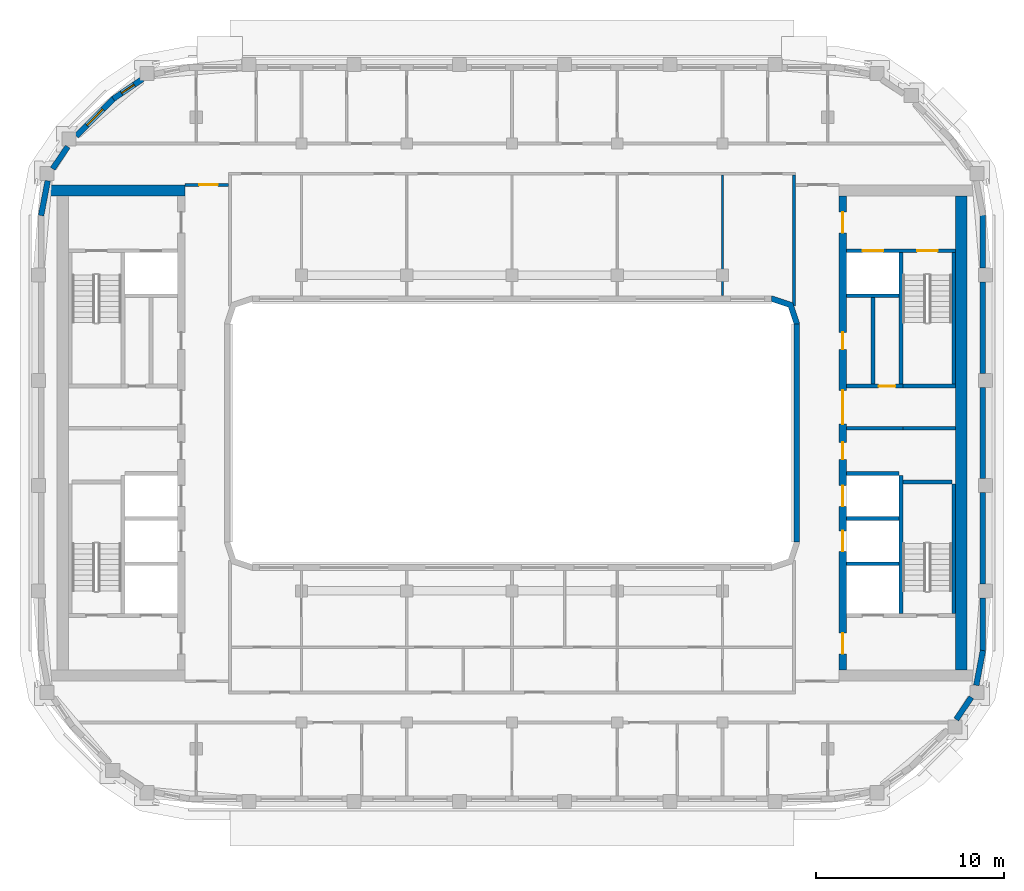
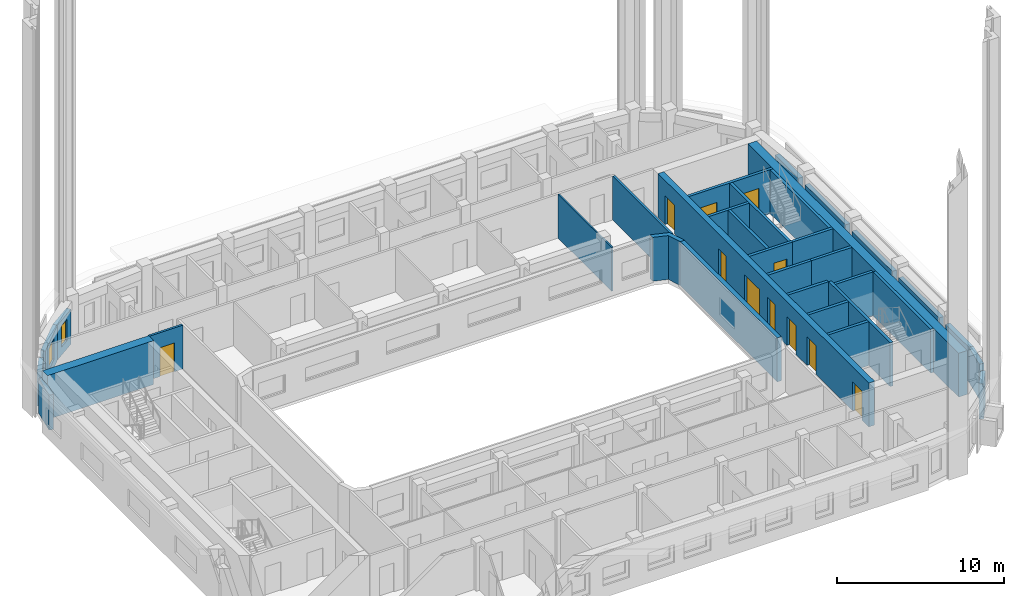
# One storey, part 6 of 15: 34 walls, 11 doors, 2 windows, 13 openings.
"""IFC4 building model written with IfcOpenShell, lengths in metres."""

from ifc_helpers import new_model, si_unit, direction, frame, frame_2d, origin, place, context, subcontext, project, spatial, polyline, rectangle, outline, extrude, material, layer, layer_set, type_object, element, fill, save


model = new_model("IFC4")

# Units and contexts
model_context = context("Model", 3, precision=1e-05, world=origin(), true_north=direction((0.0, 1.0)))
body_context = subcontext(model_context, "Body", "Model", "MODEL_VIEW")
ifc_project = project(units=[si_unit("LENGTHUNIT", "METRE"), si_unit("AREAUNIT", "SQUARE_METRE"), si_unit("VOLUMEUNIT", "CUBIC_METRE"), si_unit("PLANEANGLEUNIT", "RADIAN"), si_unit("MASSUNIT", "GRAM", prefix="KILO")], contexts=[model_context])

# Site, building, storey
site_placement = place(None, origin())
site = spatial("IfcSite", under=ifc_project, at=site_placement, CompositionType="ELEMENT")
building_placement = place(site_placement, origin())
building = spatial("IfcBuilding", under=site, at=building_placement, Name="Kiln Ring Residences", CompositionType="ELEMENT")
storey_placement = place(building_placement, frame((0.0, 0.0, 266.199951171875)))
storey = spatial("IfcBuildingStorey", under=building, at=storey_placement, Name="L69", CompositionType="ELEMENT", Elevation=266.199951171875)

# Walls
ifc_material_1 = material(Name="Gypsum board on steel studs", Category="steel")
ifc_layer_1 = layer(ifc_material_1, 0.199951171875)
ifc_layer_set_1 = layer_set([ifc_layer_1], Name="CORE-PARTITION-200")
wall_type_1 = type_object("IfcWallType", Name="CORE-PARTITION-200", PredefinedType="PARTITIONING", material=ifc_layer_set_1)
wall_1_placement = place(storey_placement, frame((20.800048828125, 0.25, 0.0), z_axis=(0.0, 0.0, 1.0), x_axis=(1.0, 0.0, 0.0)))
element("IfcWall", 1, at=wall_1_placement, inside=storey, type_object=wall_type_1, Name="Core partition east L69 1", PredefinedType="PARTITIONING", context=body_context, shape_type="SweptSolid", body=[
    extrude(rectangle(XDim=2.800048828125, YDim=0.199951171875, at=frame_2d((1.39990234375, 0.0))), origin(), (0.0, 0.0, 1.0), 3.199951171875),
])
wall_2_placement = place(storey_placement, frame((19.199951171875, 2.60009765625, 0.0), z_axis=(0.0, 0.0, 1.0), x_axis=(0.0, 1.0, 0.0)))
element("IfcWall", 2, at=wall_2_placement, inside=storey, type_object=wall_type_1, Name="Core partition east L69 2", PredefinedType="PARTITIONING", context=body_context, shape_type="SweptSolid", body=[
    extrude(rectangle(XDim=4.599853515625, YDim=0.199951171875, at=frame_2d((2.2998046875, 0.0))), origin(), (0.0, 0.0, 1.0), 3.199951171875),
])
ifc_material_2 = material(Name="Gypsum shaft wall system")
ifc_layer_2 = layer(ifc_material_2, 0.199951171875)
ifc_layer_set_2 = layer_set([ifc_layer_2], Name="CORE-SHAFT-WALL-200")
wall_type_2 = type_object("IfcWallType", Name="CORE-SHAFT-WALL-200", PredefinedType="PARTITIONING", material=ifc_layer_set_2)
for number, where, z_axis, x_axis, name in (
    (3, (17.800048828125, -6.949951171875, 0.0), (0.0, 0.0, 1.0), (1.0, 0.0, 0.0), "Core partition east L69 3"),
    (4, (17.800048828125, -4.550048828125, 0.0), (0.0, 0.0, 1.0), (1.0, 0.0, 0.0), "Core partition east L69 4"),
    (5, (17.800048828125, -2.14990234375, 0.0), (0.0, 0.0, 1.0), (1.0, 0.0, 0.0), "Core partition east L69 5"),
):
    element("IfcWall", number, at=place(storey_placement, frame(where, z_axis=z_axis, x_axis=x_axis)), inside=storey, type_object=wall_type_2, Name=name, PredefinedType="PARTITIONING", context=body_context, shape_type="SweptSolid", body=[
        extrude(rectangle(XDim=2.800048828125, YDim=0.199951171875, at=frame_2d((1.39990234375, 0.0))), origin(), (0.0, 0.0, 1.0), 3.199951171875),
    ])
wall_3_placement = place(storey_placement, frame((17.800048828125, 0.25, 0.0), z_axis=(0.0, 0.0, 1.0), x_axis=(1.0, 0.0, 0.0)))
element("IfcWall", 6, at=wall_3_placement, inside=storey, type_object=wall_type_2, Name="Core partition east L69 6", PredefinedType="PARTITIONING", context=body_context, shape_type="SweptSolid", body=[
    extrude(rectangle(XDim=3.0, YDim=0.199951171875, at=frame_2d((1.5, 0.0))), origin(), (0.0, 0.0, 1.0), 3.199951171875),
])

# Wall, opening, door
wall_4_placement = place(storey_placement, frame((17.800048828125, 2.5, 0.0), z_axis=(0.0, 0.0, 1.0), x_axis=(1.0, 0.0, 0.0)))
wall_4 = element("IfcWall", 7, at=wall_4_placement, inside=storey, type_object=wall_type_2, Name="Core partition east L69 7", PredefinedType="PARTITIONING", context=body_context, shape_type="SweptSolid", body=[
    extrude(rectangle(XDim=3.0, YDim=0.199951171875, at=frame_2d((1.5, 0.0))), origin(), (0.0, 0.0, 1.0), 3.199951171875),
])
opening_1_placement = place(wall_4_placement, frame((1.699951171875, 0.0, 0.0)))
opening_1 = element("IfcOpeningElement", 8, at=opening_1_placement, cuts=wall_4, Name="Opening L69-CE06", PredefinedType="OPENING", context=body_context, shape_type="SweptSolid", body=[
    extrude(rectangle(XDim=0.89990234375, YDim=2.10009765625, at=frame_2d((0.449951171875, 1.050048828125))), frame((0.0, 0.10986328125, 0.0), z_axis=(0.0, -1.0, 0.0), x_axis=(1.0, 0.0, 0.0)), (0.0, 0.0, 1.0), 0.219970703125),
])
ifc_material_3 = material(Name="Steel door leaf", Category="steel")
door_type_1 = type_object("IfcDoorType", Name="CORE-DOOR-ROOM", OperationType="SINGLE_SWING_LEFT", PredefinedType="DOOR", material=ifc_material_3)
door_1_placement = place(opening_1_placement, origin())
door_1 = element("IfcDoor", 9, at=door_1_placement, inside=storey, type_object=door_type_1, Name="Service store L69-CE06", OperationType="SINGLE_SWING_RIGHT", OverallHeight=2.10009765625, OverallWidth=0.89990234375, PredefinedType="DOOR", context=body_context, shape_type="SweptSolid", body=[
    extrude(rectangle(XDim=0.89990234375, YDim=2.10009765625, at=frame_2d((0.449951171875, 1.050048828125))), frame((0.0, 0.02490234375, 0.0), z_axis=(0.0, -1.0, 0.0), x_axis=(1.0, 0.0, 0.0)), (0.0, 0.0, 1.0), 0.050048828125),
])
fill(opening_1, door_1)

# Walls
wall_5_placement = place(storey_placement, frame((17.800048828125, 7.300048828125, 0.0), z_axis=(0.0, 0.0, 1.0), x_axis=(1.0, 0.0, 0.0)))
element("IfcWall", 10, at=wall_5_placement, inside=storey, type_object=wall_type_2, Name="Core partition east L69 8", PredefinedType="PARTITIONING", context=body_context, shape_type="SweptSolid", body=[
    extrude(rectangle(XDim=2.800048828125, YDim=0.199951171875, at=frame_2d((1.39990234375, 0.0))), origin(), (0.0, 0.0, 1.0), 3.199951171875),
])
ifc_material_4 = material(Name="Concrete C40/50", Category="concrete")
ifc_layer_3 = layer(ifc_material_4, 0.199951171875)
ifc_layer_set_3 = layer_set([ifc_layer_3], Name="CORE-WALL-RC200")
wall_type_3 = type_object("IfcWallType", Name="CORE-WALL-RC200", PredefinedType="SHEAR", material=ifc_layer_set_3)
wall_6_placement = place(storey_placement, frame((20.699951171875, 2.60009765625, 0.0), z_axis=(0.0, 0.0, 1.0), x_axis=(0.0, 1.0, 0.0)))
element("IfcWall", 11, at=wall_6_placement, inside=storey, type_object=wall_type_3, Name="Core wall east L69 1", PredefinedType="SHEAR", context=body_context, shape_type="SweptSolid", body=[
    extrude(rectangle(XDim=7.0, YDim=0.199951171875, at=frame_2d((3.5, 0.0))), origin(), (0.0, 0.0, 1.0), 3.199951171875),
])
wall_7_placement = place(storey_placement, frame((20.699951171875, -9.60009765625, 0.0), z_axis=(0.0, 0.0, 1.0), x_axis=(0.0, 1.0, 0.0)))
element("IfcWall", 12, at=wall_7_placement, inside=storey, type_object=wall_type_3, Name="Core wall east L69 2", PredefinedType="SHEAR", context=body_context, shape_type="SweptSolid", body=[
    extrude(rectangle(XDim=7.35009765625, YDim=0.199951171875, at=frame_2d((3.675048828125, 0.0))), origin(), (0.0, 0.0, 1.0), 3.199951171875),
])
wall_8_placement = place(storey_placement, frame((20.800048828125, 2.5, 0.0), z_axis=(0.0, 0.0, 1.0), x_axis=(1.0, 0.0, 0.0)))
element("IfcWall", 13, at=wall_8_placement, inside=storey, type_object=wall_type_3, Name="Core wall east L69 3", PredefinedType="SHEAR", context=body_context, shape_type="SweptSolid", body=[
    extrude(rectangle(XDim=2.800048828125, YDim=0.199951171875, at=frame_2d((1.39990234375, 0.0))), origin(), (0.0, 0.0, 1.0), 3.199951171875),
])

# Wall, openings, doors
wall_9_placement = place(storey_placement, frame((17.800048828125, 9.699951171875, 0.0), z_axis=(0.0, 0.0, 1.0), x_axis=(1.0, 0.0, 0.0)))
wall_9 = element("IfcWall", 14, at=wall_9_placement, inside=storey, type_object=wall_type_3, Name="Core wall east L69 9", PredefinedType="SHEAR", context=body_context, shape_type="SweptSolid", body=[
    extrude(rectangle(XDim=5.800048828125, YDim=0.199951171875, at=frame_2d((2.89990234375, 0.0))), origin(), (0.0, 0.0, 1.0), 3.199951171875),
])
opening_2_placement = place(wall_9_placement, frame((0.85009765625, 0.0, 0.0)))
opening_2 = element("IfcOpeningElement", 15, at=opening_2_placement, cuts=wall_9, Name="Opening L69-CE07", PredefinedType="OPENING", context=body_context, shape_type="SweptSolid", body=[
    extrude(rectangle(XDim=1.10009765625, YDim=2.10009765625, at=frame_2d((0.550048828125, 1.050048828125))), frame((0.0, 0.10986328125, 0.0), z_axis=(0.0, -1.0, 0.0), x_axis=(1.0, 0.0, 0.0)), (0.0, 0.0, 1.0), 0.219970703125),
])
opening_3_placement = place(wall_9_placement, frame((3.75, 0.0, 0.0)))
opening_3 = element("IfcOpeningElement", 16, at=opening_3_placement, cuts=wall_9, Name="Opening L69-CE10", PredefinedType="OPENING", context=body_context, shape_type="SweptSolid", body=[
    extrude(rectangle(XDim=1.10009765625, YDim=2.10009765625, at=frame_2d((0.550048828125, 1.050048828125))), frame((0.0, 0.10986328125, 0.0), z_axis=(0.0, -1.0, 0.0), x_axis=(1.0, 0.0, 0.0)), (0.0, 0.0, 1.0), 0.219970703125),
])
ifc_material_5 = material(Name="Steel door leaf", Category="steel")
door_type_2 = type_object("IfcDoorType", Name="CORE-DOOR-LD", OperationType="DOUBLE_DOOR_SLIDING", PredefinedType="DOOR", material=ifc_material_5)
door_2_placement = place(opening_2_placement, origin())
door_2 = element("IfcDoor", 17, at=door_2_placement, inside=storey, type_object=door_type_2, Name="LD E-FF L69-CE07", OperationType="DOUBLE_DOOR_SLIDING", OverallHeight=2.10009765625, OverallWidth=1.10009765625, PredefinedType="DOOR", context=body_context, shape_type="SweptSolid", body=[
    extrude(rectangle(XDim=1.10009765625, YDim=2.10009765625, at=frame_2d((0.550048828125, 1.050048828125))), frame((0.0, 0.02490234375, 0.0), z_axis=(0.0, -1.0, 0.0), x_axis=(1.0, 0.0, 0.0)), (0.0, 0.0, 1.0), 0.050048828125),
])
fill(opening_2, door_2)
ifc_material_6 = material(Name="Steel door leaf", Category="steel")
door_type_3 = type_object("IfcDoorType", Name="CORE-DOOR-STAIR", OperationType="SINGLE_SWING_LEFT", PredefinedType="DOOR", material=ifc_material_6)
door_3_placement = place(opening_3_placement, origin())
door_3 = element("IfcDoor", 18, at=door_3_placement, inside=storey, type_object=door_type_3, Name="Stair E-STN L69-CE10", OperationType="SINGLE_SWING_LEFT", OverallHeight=2.10009765625, OverallWidth=1.10009765625, PredefinedType="DOOR", context=body_context, shape_type="SweptSolid", body=[
    extrude(rectangle(XDim=1.10009765625, YDim=2.10009765625, at=frame_2d((0.550048828125, 1.050048828125))), frame((0.0, 0.02490234375, 0.0), z_axis=(0.0, -1.0, 0.0), x_axis=(1.0, 0.0, 0.0)), (0.0, 0.0, 1.0), 0.050048828125),
])
fill(opening_3, door_3)

# Walls
wall_10_placement = place(storey_placement, frame((23.5, 2.60009765625, 0.0), z_axis=(0.0, 0.0, 1.0), x_axis=(0.0, 1.0, 0.0)))
element("IfcWall", 19, at=wall_10_placement, inside=storey, type_object=wall_type_3, Name="Core wall east L69 10", PredefinedType="SHEAR", context=body_context, shape_type="SweptSolid", body=[
    extrude(rectangle(XDim=7.0, YDim=0.199951171875, at=frame_2d((3.5, 0.0))), origin(), (0.0, 0.0, 1.0), 3.199951171875),
])
wall_11_placement = place(storey_placement, frame((23.5, -9.60009765625, 0.0), z_axis=(0.0, 0.0, 1.0), x_axis=(0.0, 1.0, 0.0)))
element("IfcWall", 20, at=wall_11_placement, inside=storey, type_object=wall_type_3, Name="Core wall east L69 11", PredefinedType="SHEAR", context=body_context, shape_type="SweptSolid", body=[
    extrude(rectangle(XDim=6.900146484375, YDim=0.199951171875, at=frame_2d((3.4501953125, 0.0))), origin(), (0.0, 0.0, 1.0), 3.199951171875),
])
wall_12_placement = place(storey_placement, frame((20.800048828125, -2.60009765625, 0.0), z_axis=(0.0, 0.0, 1.0), x_axis=(1.0, 0.0, 0.0)))
element("IfcWall", 21, at=wall_12_placement, inside=storey, type_object=wall_type_3, Name="Core wall east L69 12", PredefinedType="SHEAR", context=body_context, shape_type="SweptSolid", body=[
    extrude(rectangle(XDim=2.599853515625, YDim=0.199951171875, at=frame_2d((1.2998046875, 0.0))), origin(), (0.0, 0.0, 1.0), 3.199951171875),
])

# Wall, openings, doors
ifc_material_7 = material(Name="Concrete C60/75", Category="concrete")
ifc_layer_4 = layer(ifc_material_7, 0.39990234375)
ifc_layer_set_4 = layer_set([ifc_layer_4], Name="CORE-WALL-RC400")
wall_type_4 = type_object("IfcWallType", Name="CORE-WALL-RC400", PredefinedType="SHEAR", material=ifc_layer_set_4)
wall_13_placement = place(storey_placement, frame((17.60009765625, -12.60009765625, 0.0), z_axis=(0.0, 0.0, 1.0), x_axis=(0.0, 1.0, 0.0)))
wall_13 = element("IfcWall", 22, at=wall_13_placement, inside=storey, type_object=wall_type_4, Name="Core wall east L69 6", PredefinedType="SHEAR", context=body_context, shape_type="SweptSolid", body=[
    extrude(rectangle(XDim=25.2001953125, YDim=0.39990234375, at=frame_2d((12.60009765625, 0.0))), origin(), (0.0, 0.0, 1.0), 3.199951171875),
])
opening_4_placement = place(wall_13_placement, frame((6.300048828125, 0.0, 0.0)))
opening_4 = element("IfcOpeningElement", 23, at=opening_4_placement, cuts=wall_13, Name="Opening L69-CE02", PredefinedType="OPENING", context=body_context, shape_type="SweptSolid", body=[
    extrude(rectangle(XDim=1.10009765625, YDim=2.10009765625, at=frame_2d((0.550048828125, 1.050048828125))), frame((0.0, 0.2099609375, 0.0), z_axis=(0.0, -1.0, 0.0), x_axis=(1.0, 0.0, 0.0)), (0.0, 0.0, 1.0), 0.419921875),
])
opening_5_placement = place(wall_13_placement, frame((8.699951171875, 0.0, 0.0)))
opening_5 = element("IfcOpeningElement", 24, at=opening_5_placement, cuts=wall_13, Name="Opening L69-CE03", PredefinedType="OPENING", context=body_context, shape_type="SweptSolid", body=[
    extrude(rectangle(XDim=1.10009765625, YDim=2.10009765625, at=frame_2d((0.550048828125, 1.050048828125))), frame((0.0, 0.2099609375, 0.0), z_axis=(0.0, -1.0, 0.0), x_axis=(1.0, 0.0, 0.0)), (0.0, 0.0, 1.0), 0.419921875),
])
opening_6_placement = place(wall_13_placement, frame((11.199951171875, 0.0, 0.0)))
opening_6 = element("IfcOpeningElement", 25, at=opening_6_placement, cuts=wall_13, Name="Opening L69-CE04", PredefinedType="OPENING", context=body_context, shape_type="SweptSolid", body=[
    extrude(rectangle(XDim=0.89990234375, YDim=2.10009765625, at=frame_2d((0.449951171875, 1.050048828125))), frame((0.0, 0.2099609375, 0.0), z_axis=(0.0, -1.0, 0.0), x_axis=(1.0, 0.0, 0.0)), (0.0, 0.0, 1.0), 0.419921875),
])
opening_7_placement = place(wall_13_placement, frame((17.050048828125, 0.0, 0.0)))
opening_7 = element("IfcOpeningElement", 26, at=opening_7_placement, cuts=wall_13, Name="Opening L69-CE05", PredefinedType="OPENING", context=body_context, shape_type="SweptSolid", body=[
    extrude(rectangle(XDim=0.89990234375, YDim=2.10009765625, at=frame_2d((0.449951171875, 1.050048828125))), frame((0.0, 0.2099609375, 0.0), z_axis=(0.0, -1.0, 0.0), x_axis=(1.0, 0.0, 0.0)), (0.0, 0.0, 1.0), 0.419921875),
])
opening_8_placement = place(wall_13_placement, frame((23.25, 0.0, 0.0)))
opening_8 = element("IfcOpeningElement", 27, at=opening_8_placement, cuts=wall_13, Name="Opening L69-CE08", PredefinedType="OPENING", context=body_context, shape_type="SweptSolid", body=[
    extrude(rectangle(XDim=1.10009765625, YDim=2.10009765625, at=frame_2d((0.550048828125, 1.050048828125))), frame((0.0, 0.2099609375, 0.0), z_axis=(0.0, -1.0, 0.0), x_axis=(1.0, 0.0, 0.0)), (0.0, 0.0, 1.0), 0.419921875),
])
opening_9_placement = place(wall_13_placement, frame((0.85009765625, 0.0, 0.0)))
opening_9 = element("IfcOpeningElement", 28, at=opening_9_placement, cuts=wall_13, Name="Opening L69-CE09", PredefinedType="OPENING", context=body_context, shape_type="SweptSolid", body=[
    extrude(rectangle(XDim=1.10009765625, YDim=2.10009765625, at=frame_2d((0.550048828125, 1.050048828125))), frame((0.0, 0.2099609375, 0.0), z_axis=(0.0, -1.0, 0.0), x_axis=(1.0, 0.0, 0.0)), (0.0, 0.0, 1.0), 0.419921875),
])
opening_10_placement = place(wall_13_placement, frame((13.074951171875, 0.0, 0.0)))
opening_10 = element("IfcOpeningElement", 29, at=opening_10_placement, cuts=wall_13, Name="Opening L69-CE12", PredefinedType="OPENING", context=body_context, shape_type="SweptSolid", body=[
    extrude(rectangle(XDim=1.800048828125, YDim=2.10009765625, at=frame_2d((0.89990234375, 1.050048828125))), frame((0.0, 0.2099609375, 0.0), z_axis=(0.0, -1.0, 0.0), x_axis=(1.0, 0.0, 0.0)), (0.0, 0.0, 1.0), 0.419921875),
])
door_4_placement = place(opening_4_placement, origin())
door_4 = element("IfcDoor", 30, at=door_4_placement, inside=storey, type_object=door_type_2, Name="LD E-H1 L69-CE02", OperationType="DOUBLE_DOOR_SLIDING", OverallHeight=2.10009765625, OverallWidth=1.10009765625, PredefinedType="DOOR", context=body_context, shape_type="SweptSolid", body=[
    extrude(rectangle(XDim=1.10009765625, YDim=2.10009765625, at=frame_2d((0.550048828125, 1.050048828125))), frame((0.0, 0.02490234375, 0.0), z_axis=(0.0, -1.0, 0.0), x_axis=(1.0, 0.0, 0.0)), (0.0, 0.0, 1.0), 0.050048828125),
])
fill(opening_4, door_4)
door_5_placement = place(opening_5_placement, origin())
door_5 = element("IfcDoor", 31, at=door_5_placement, inside=storey, type_object=door_type_2, Name="LD E-H2 L69-CE03", OperationType="DOUBLE_DOOR_SLIDING", OverallHeight=2.10009765625, OverallWidth=1.10009765625, PredefinedType="DOOR", context=body_context, shape_type="SweptSolid", body=[
    extrude(rectangle(XDim=1.10009765625, YDim=2.10009765625, at=frame_2d((0.550048828125, 1.050048828125))), frame((0.0, 0.02490234375, 0.0), z_axis=(0.0, -1.0, 0.0), x_axis=(1.0, 0.0, 0.0)), (0.0, 0.0, 1.0), 0.050048828125),
])
fill(opening_5, door_5)
ifc_material_8 = material(Name="Steel door leaf", Category="steel")
door_type_4 = type_object("IfcDoorType", Name="CORE-DOOR-LOBBY", OperationType="SINGLE_SWING_LEFT", PredefinedType="DOOR", material=ifc_material_8)
door_6_placement = place(opening_8_placement, origin())
door_6 = element("IfcDoor", 32, at=door_6_placement, inside=storey, type_object=door_type_4, Name="FFL L69-CE08", OperationType="SINGLE_SWING_RIGHT", OverallHeight=2.10009765625, OverallWidth=1.10009765625, PredefinedType="DOOR", context=body_context, shape_type="SweptSolid", body=[
    extrude(rectangle(XDim=1.10009765625, YDim=2.10009765625, at=frame_2d((0.550048828125, 1.050048828125))), frame((0.0, 0.02490234375, 0.0), z_axis=(0.0, -1.0, 0.0), x_axis=(1.0, 0.0, 0.0)), (0.0, 0.0, 1.0), 0.050048828125),
])
fill(opening_8, door_6)
door_7_placement = place(opening_9_placement, origin())
door_7 = element("IfcDoor", 33, at=door_7_placement, inside=storey, type_object=door_type_4, Name="SVL L69-CE09", OperationType="SINGLE_SWING_LEFT", OverallHeight=2.10009765625, OverallWidth=1.10009765625, PredefinedType="DOOR", context=body_context, shape_type="SweptSolid", body=[
    extrude(rectangle(XDim=1.10009765625, YDim=2.10009765625, at=frame_2d((0.550048828125, 1.050048828125))), frame((0.0, 0.02490234375, 0.0), z_axis=(0.0, -1.0, 0.0), x_axis=(1.0, 0.0, 0.0)), (0.0, 0.0, 1.0), 0.050048828125),
])
fill(opening_9, door_7)
ifc_material_9 = material(Name="Steel door leaf", Category="steel")
door_type_5 = type_object("IfcDoorType", Name="CORE-DOOR-PASS", OperationType="DOUBLE_DOOR_SINGLE_SWING", PredefinedType="DOOR", material=ifc_material_9)
door_8_placement = place(opening_10_placement, origin())
door_8 = element("IfcDoor", 34, at=door_8_placement, inside=storey, type_object=door_type_5, Name="Core passage L69-CE12", OperationType="DOUBLE_DOOR_SINGLE_SWING", OverallHeight=2.10009765625, OverallWidth=1.800048828125, PredefinedType="DOOR", context=body_context, shape_type="SweptSolid", body=[
    extrude(rectangle(XDim=1.800048828125, YDim=2.10009765625, at=frame_2d((0.89990234375, 1.050048828125))), frame((0.0, 0.02490234375, 0.0), z_axis=(0.0, -1.0, 0.0), x_axis=(1.0, 0.0, 0.0)), (0.0, 0.0, 1.0), 0.050048828125),
])
fill(opening_10, door_8)
door_9_placement = place(opening_6_placement, origin())
door_9 = element("IfcDoor", 35, at=door_9_placement, inside=storey, type_object=door_type_1, Name="Recycling store L69-CE04", OperationType="SINGLE_SWING_LEFT", OverallHeight=2.10009765625, OverallWidth=0.89990234375, PredefinedType="DOOR", context=body_context, shape_type="SweptSolid", body=[
    extrude(rectangle(XDim=0.89990234375, YDim=2.10009765625, at=frame_2d((0.449951171875, 1.050048828125))), frame((0.0, 0.02490234375, 0.0), z_axis=(0.0, -1.0, 0.0), x_axis=(1.0, 0.0, 0.0)), (0.0, 0.0, 1.0), 0.050048828125),
])
fill(opening_6, door_9)
door_10_placement = place(opening_7_placement, origin())
door_10 = element("IfcDoor", 36, at=door_10_placement, inside=storey, type_object=door_type_1, Name="Linen store L69-CE05", OperationType="SINGLE_SWING_RIGHT", OverallHeight=2.10009765625, OverallWidth=0.89990234375, PredefinedType="DOOR", context=body_context, shape_type="SweptSolid", body=[
    extrude(rectangle(XDim=0.89990234375, YDim=2.10009765625, at=frame_2d((0.449951171875, 1.050048828125))), frame((0.0, 0.02490234375, 0.0), z_axis=(0.0, -1.0, 0.0), x_axis=(1.0, 0.0, 0.0)), (0.0, 0.0, 1.0), 0.050048828125),
])
fill(opening_7, door_10)

# Walls
ifc_material_10 = material(Name="Concrete C60/75", Category="concrete")
ifc_layer_5 = layer(ifc_material_10, 0.60009765625)
ifc_layer_set_5 = layer_set([ifc_layer_5], Name="CORE-WALL-RC600")
wall_type_5 = type_object("IfcWallType", Name="CORE-WALL-RC600", PredefinedType="SHEAR", material=ifc_layer_set_5)
wall_14_placement = place(storey_placement, frame((-17.39990234375, 12.89990234375, 0.0), z_axis=(0.0, 0.0, 1.0), x_axis=(-1.0, 0.0, 0.0)))
element("IfcWall", 37, at=wall_14_placement, inside=storey, type_object=wall_type_5, Name="Core wall west L69 4", PredefinedType="SHEAR", context=body_context, shape_type="SweptSolid", body=[
    extrude(rectangle(XDim=7.320068359375, YDim=0.60009765625, at=frame_2d((3.66015625, 0.0))), origin(), (0.0, 0.0, 1.0), 3.199951171875),
])
wall_15_placement = place(storey_placement, frame((23.89990234375, -12.60009765625, 0.0), z_axis=(0.0, 0.0, 1.0), x_axis=(0.0, 1.0, 0.0)))
element("IfcWall", 38, at=wall_15_placement, inside=storey, type_object=wall_type_5, Name="Core wall east L69 7", PredefinedType="SHEAR", context=body_context, shape_type="SweptSolid", body=[
    extrude(rectangle(XDim=25.2001953125, YDim=0.60009765625, at=frame_2d((12.60009765625, 0.0))), origin(), (0.0, 0.0, 1.0), 3.199951171875),
])
ifc_material_11 = material(Name="Brick masonry, dark clay brick", Category="masonry")
ifc_layer_6 = layer(ifc_material_11, 0.300048828125)
ifc_layer_set_6 = layer_set([ifc_layer_6], Name="EW-300 BRICK WALL")
wall_type_6 = type_object("IfcWallType", Name="EW-300 BRICK WALL", PredefinedType="SOLIDWALL", material=ifc_layer_set_6)
wall_16_placement = place(storey_placement, frame((23.634033203125, -15.2373046875, 0.0), z_axis=(0.0, 0.0, 1.0), x_axis=(0.562099454787, 0.827069648173, 0.0)))
element("IfcWall", 39, at=wall_16_placement, inside=storey, type_object=wall_type_6, Name="Facade wall L69 14", PredefinedType="SOLIDWALL", context=body_context, shape_type="SweptSolid", body=[
    extrude(rectangle(XDim=1.42724609375, YDim=0.300048828125, at=frame_2d((0.713623046875, 0.0))), origin(), (0.0, 0.0, 1.0), 2.550048828125),
])
wall_17_placement = place(storey_placement, frame((24.7001953125, -13.419677734375, 0.0), z_axis=(0.0, 0.0, 1.0), x_axis=(0.187398348234, 0.982284001233, 0.0)))
element("IfcWall", 40, at=wall_17_placement, inside=storey, type_object=wall_type_6, Name="Facade wall L69 15", PredefinedType="SOLIDWALL", context=body_context, shape_type="SweptSolid", body=[
    extrude(rectangle(XDim=1.88134765625, YDim=0.300048828125, at=frame_2d((0.940673828125, 0.0))), origin(), (0.0, 0.0, 1.0), 2.550048828125),
])
wall_18_placement = place(storey_placement, frame((25.050048828125, -11.60009765625, 0.0), z_axis=(0.0, 0.0, 1.0), x_axis=(0.0, 1.0, 0.0)))
element("IfcWall", 41, at=wall_18_placement, inside=storey, type_object=wall_type_6, Name="Facade wall L69 16", PredefinedType="SOLIDWALL", context=body_context, shape_type="SweptSolid", body=[
    extrude(rectangle(XDim=2.8251953125, YDim=0.300048828125, at=frame_2d((1.41259765625, 0.0))), origin(), (0.0, 0.0, 1.0), 2.550048828125),
])
wall_19_placement = place(storey_placement, frame((25.050048828125, -8.02490234375, 0.0), z_axis=(0.0, 0.0, 1.0), x_axis=(0.0, 1.0, 0.0)))
element("IfcWall", 42, at=wall_19_placement, inside=storey, type_object=wall_type_6, Name="Facade wall L69 17", PredefinedType="SOLIDWALL", context=body_context, shape_type="SweptSolid", body=[
    extrude(rectangle(XDim=4.849853515625, YDim=0.300048828125, at=frame_2d((2.4248046875, 0.0))), origin(), (0.0, 0.0, 1.0), 2.550048828125),
])
wall_20_placement = place(storey_placement, frame((25.050048828125, -2.425048828125, 0.0), z_axis=(0.0, 0.0, 1.0), x_axis=(0.0, 1.0, 0.0)))
element("IfcWall", 43, at=wall_20_placement, inside=storey, type_object=wall_type_6, Name="Facade wall L69 18", PredefinedType="SOLIDWALL", context=body_context, shape_type="SweptSolid", body=[
    extrude(rectangle(XDim=4.85009765625, YDim=0.300048828125, at=frame_2d((2.425048828125, 0.0))), origin(), (0.0, 0.0, 1.0), 2.550048828125),
])
wall_21_placement = place(storey_placement, frame((25.050048828125, 3.175048828125, 0.0), z_axis=(0.0, 0.0, 1.0), x_axis=(0.0, 1.0, 0.0)))
element("IfcWall", 44, at=wall_21_placement, inside=storey, type_object=wall_type_6, Name="Facade wall L69 19", PredefinedType="SOLIDWALL", context=body_context, shape_type="SweptSolid", body=[
    extrude(rectangle(XDim=4.849853515625, YDim=0.300048828125, at=frame_2d((2.4248046875, 0.0))), origin(), (0.0, 0.0, 1.0), 2.550048828125),
])
wall_22_placement = place(storey_placement, frame((25.050048828125, 8.77490234375, 0.0), z_axis=(0.0, 0.0, 1.0), x_axis=(0.0, 1.0, 0.0)))
element("IfcWall", 45, at=wall_22_placement, inside=storey, type_object=wall_type_6, Name="Facade wall L69 20", PredefinedType="SOLIDWALL", context=body_context, shape_type="SweptSolid", body=[
    extrude(rectangle(XDim=2.8251953125, YDim=0.300048828125, at=frame_2d((1.41259765625, 0.0))), origin(), (0.0, 0.0, 1.0), 2.550048828125),
])

# Wall, opening, window
wall_23_placement = place(storey_placement, frame((-19.656982421875, 18.836181640625, 0.0), z_axis=(0.0, 0.0, 1.0), x_axis=(-0.82704477487, -0.562136051469, 0.0)))
wall_23 = element("IfcWall", 46, at=wall_23_placement, inside=storey, type_object=wall_type_6, Name="Facade wall L69 34", PredefinedType="SOLIDWALL", context=body_context, shape_type="SweptSolid", body=[
    extrude(rectangle(XDim=1.881103515625, YDim=0.300048828125, at=frame_2d((0.9404296875, 0.0))), origin(), (0.0, 0.0, 1.0), 2.550048828125),
])
opening_11_placement = place(wall_23_placement, frame((0.54052734375, 0.0, 0.60009765625)))
opening_11 = element("IfcOpeningElement", 47, at=opening_11_placement, cuts=wall_23, Name="Opening W5", PredefinedType="OPENING", context=body_context, shape_type="SweptSolid", body=[
    extrude(rectangle(XDim=0.800048828125, YDim=1.550048828125, at=frame_2d((0.39990234375, 0.77490234375))), frame((0.0, 0.159912109375, 0.0), z_axis=(0.0, -1.0, 0.0), x_axis=(1.0, 0.0, 0.0)), (0.0, 0.0, 1.0), 0.320068359375),
])
ifc_material_12 = material(Name="Aluminium frame with double glazing", Category="aluminium")
window_type_1 = type_object("IfcWindowType", Name="WINDOW 800 x 1550", PartitioningType="SINGLE_PANEL", PredefinedType="WINDOW", material=ifc_material_12)
window_1_placement = place(opening_11_placement, origin())
window_1 = element("IfcWindow", 48, at=window_1_placement, inside=storey, type_object=window_type_1, Name="Window L69 34", OverallHeight=1.550048828125, OverallWidth=0.800048828125, PartitioningType="SINGLE_PANEL", PredefinedType="WINDOW", context=body_context, shape_type="SweptSolid", body=[
    extrude(rectangle(XDim=0.800048828125, YDim=1.550048828125, at=frame_2d((0.39990234375, 0.77490234375))), frame((0.0, 0.030029296875, 0.0), z_axis=(0.0, -1.0, 0.0), x_axis=(1.0, 0.0, 0.0)), (0.0, 0.0, 1.0), 0.06005859375),
])
fill(opening_11, window_1)

wall_24_placement = place(storey_placement, frame((-21.19091796875, 17.796875, 0.0), z_axis=(0.0, 0.0, 1.0), x_axis=(-0.707106781187, -0.707106781187, 0.0)))
wall_24 = element("IfcWall", 49, at=wall_24_placement, inside=storey, type_object=wall_type_6, Name="Facade wall L69 35", PredefinedType="SOLIDWALL", context=body_context, shape_type="SweptSolid", body=[
    extrude(rectangle(XDim=2.824951171875, YDim=0.300048828125, at=frame_2d((1.41259765625, 0.0))), origin(), (0.0, 0.0, 1.0), 2.550048828125),
])
opening_12_placement = place(wall_24_placement, frame((0.8125, 0.0, 0.60009765625)))
opening_12 = element("IfcOpeningElement", 50, at=opening_12_placement, cuts=wall_24, Name="Opening W1", PredefinedType="OPENING", context=body_context, shape_type="SweptSolid", body=[
    extrude(rectangle(XDim=1.199951171875, YDim=1.550048828125, at=frame_2d((0.60009765625, 0.77490234375))), frame((0.0, 0.159912109375, 0.0), z_axis=(0.0, -1.0, 0.0), x_axis=(1.0, 0.0, 0.0)), (0.0, 0.0, 1.0), 0.320068359375),
])
ifc_material_13 = material(Name="Aluminium frame with double glazing", Category="aluminium")
window_type_2 = type_object("IfcWindowType", Name="WINDOW 1200 x 1550", PartitioningType="SINGLE_PANEL", PredefinedType="WINDOW", material=ifc_material_13)
window_2_placement = place(opening_12_placement, origin())
window_2 = element("IfcWindow", 51, at=window_2_placement, inside=storey, type_object=window_type_2, Name="Window L69 35", OverallHeight=1.550048828125, OverallWidth=1.199951171875, PartitioningType="SINGLE_PANEL", PredefinedType="WINDOW", context=body_context, shape_type="SweptSolid", body=[
    extrude(rectangle(XDim=1.199951171875, YDim=1.550048828125, at=frame_2d((0.60009765625, 0.77490234375))), frame((0.0, 0.030029296875, 0.0), z_axis=(0.0, -1.0, 0.0), x_axis=(1.0, 0.0, 0.0)), (0.0, 0.0, 1.0), 0.06005859375),
])
fill(opening_12, window_2)

# Walls
wall_25_placement = place(storey_placement, frame((-23.634033203125, 15.2373046875, 0.0), z_axis=(0.0, 0.0, 1.0), x_axis=(-0.562099454787, -0.827069648173, 0.0)))
element("IfcWall", 52, at=wall_25_placement, inside=storey, type_object=wall_type_6, Name="Facade wall L69 36", PredefinedType="SOLIDWALL", context=body_context, shape_type="SweptSolid", body=[
    extrude(rectangle(XDim=1.42724609375, YDim=0.300048828125, at=frame_2d((0.713623046875, 0.0))), origin(), (0.0, 0.0, 1.0), 2.550048828125),
])
wall_26_placement = place(storey_placement, frame((-24.7001953125, 13.419677734375, 0.0), z_axis=(0.0, 0.0, 1.0), x_axis=(-0.187398348234, -0.982284001233, 0.0)))
element("IfcWall", 53, at=wall_26_placement, inside=storey, type_object=wall_type_6, Name="Facade wall L69 37", PredefinedType="SOLIDWALL", context=body_context, shape_type="SweptSolid", body=[
    extrude(rectangle(XDim=1.88134765625, YDim=0.300048828125, at=frame_2d((0.940673828125, 0.0))), origin(), (0.0, 0.0, 1.0), 2.550048828125),
])
wall_27_placement = place(storey_placement, frame((15.14990234375, 5.800048828125, 0.0), z_axis=(0.0, 0.0, 1.0), x_axis=(0.0, -1.0, 0.0)))
element("IfcWall", 54, at=wall_27_placement, inside=storey, type_object=wall_type_6, Name="Facade wall L69 47", PredefinedType="SOLIDWALL", context=body_context, shape_type="SweptSolid", body=[
    extrude(rectangle(XDim=11.60009765625, YDim=0.300048828125, at=frame_2d((5.800048828125, 0.0))), origin(), (0.0, 0.0, 1.0), 3.199951171875),
])
wall_28_placement = place(storey_placement, origin())
element("IfcWall", 55, at=wall_28_placement, inside=storey, type_object=wall_type_6, Name="Corner wall L69 2", PredefinedType="SOLIDWALL", context=body_context, shape_type="SweptSolid", body=[
    extrude(outline(polyline([(14.937255859375, 6.937255859375), (13.8486328125, 7.300048828125), (13.800048828125, 7.300048828125), (13.800048828125, 7.0), (14.699951171875, 6.699951171875), (15.0, 5.800048828125), (15.300048828125, 5.800048828125), (15.300048828125, 5.8486328125), (14.937255859375, 6.937255859375)])), origin(), (0.0, 0.0, 1.0), 3.199951171875),
])
ifc_material_14 = material(Name="Gypsum board on steel studs", Category="steel")
ifc_layer_7 = layer(ifc_material_14, 0.10009765625)
ifc_layer_set_7 = layer_set([ifc_layer_7], Name="PARTITION-100")
wall_type_7 = type_object("IfcWallType", Name="PARTITION-100", PredefinedType="PARTITIONING", material=ifc_layer_set_7)
wall_29_placement = place(storey_placement, frame((11.199951171875, 7.320068359375, 0.0), z_axis=(0.0, 0.0, 1.0), x_axis=(0.0, 1.0, 0.0)))
element("IfcWall", 56, at=wall_29_placement, inside=storey, type_object=wall_type_7, Name="Partition 042", PredefinedType="PARTITIONING", context=body_context, shape_type="SweptSolid", body=[
    extrude(rectangle(XDim=6.405029296875, YDim=0.10009765625, at=frame_2d((3.20263671875, 0.0))), origin(), (0.0, 0.0, 1.0), 3.199951171875),
])

# Wall, opening, door
ifc_material_15 = material(Name="Brick masonry partition", Category="masonry")
ifc_layer_8 = layer(ifc_material_15, 0.14990234375)
ifc_layer_set_8 = layer_set([ifc_layer_8], Name="PARTITION-150-ei60")
wall_type_8 = type_object("IfcWallType", Name="PARTITION-150-ei60", PredefinedType="PARTITIONING", material=ifc_layer_set_8)
wall_30_placement = place(storey_placement, frame((-17.39990234375, 13.199951171875, 0.0), z_axis=(0.0, 0.0, 1.0), x_axis=(1.0, 0.0, 0.0)))
wall_30 = element("IfcWall", 57, at=wall_30_placement, inside=storey, type_object=wall_type_8, Name="Partition 005", PredefinedType="PARTITIONING", context=body_context, shape_type="SweptSolid", body=[
    extrude(rectangle(XDim=2.324951171875, YDim=0.14990234375, at=frame_2d((1.16259765625, 0.0))), origin(), (0.0, 0.0, 1.0), 3.199951171875),
])
opening_13_placement = place(wall_30_placement, frame((0.75, 0.0, 0.0)))
opening_13 = element("IfcOpeningElement", 58, at=opening_13_placement, cuts=wall_30, Name="Opening L69-D001", PredefinedType="OPENING", context=body_context, shape_type="SweptSolid", body=[
    extrude(rectangle(XDim=1.0, YDim=2.10009765625, at=frame_2d((0.5, 1.050048828125))), frame((0.0, 0.0849609375, 0.0), z_axis=(0.0, -1.0, 0.0), x_axis=(1.0, 0.0, 0.0)), (0.0, 0.0, 1.0), 0.169921875),
])
ifc_material_16 = material(Name="Steel faced fire door leaf", Category="steel")
door_type_6 = type_object("IfcDoorType", Name="FLAT-DOOR-1000-FR", OperationType="SINGLE_SWING_LEFT", PredefinedType="DOOR", material=ifc_material_16)
door_11_placement = place(opening_13_placement, origin())
door_11 = element("IfcDoor", 59, at=door_11_placement, inside=storey, type_object=door_type_6, Name="Door L69-D001", OperationType="SINGLE_SWING_RIGHT", OverallHeight=2.10009765625, OverallWidth=1.0, PredefinedType="DOOR", context=body_context, shape_type="SweptSolid", body=[
    extrude(rectangle(XDim=1.0, YDim=2.10009765625, at=frame_2d((0.5, 1.050048828125))), frame((0.0, 0.02490234375, 0.0), z_axis=(0.0, -1.0, 0.0), x_axis=(1.0, 0.0, 0.0)), (0.0, 0.0, 1.0), 0.050048828125),
])
fill(opening_13, door_11)

# Wall
wall_31_placement = place(storey_placement, frame((15.0, 6.768798828125, 0.0), z_axis=(0.0, 0.0, 1.0), x_axis=(0.0, 1.0, 0.0)))
element("IfcWall", 60, at=wall_31_placement, inside=storey, type_object=wall_type_8, Name="Partition 048", PredefinedType="PARTITIONING", context=body_context, shape_type="SweptSolid", body=[
    extrude(rectangle(XDim=6.956298828125, YDim=0.14990234375, at=frame_2d((3.47802734375, 0.0))), origin(), (0.0, 0.0, 1.0), 3.199951171875),
])

save(model, "model.ifc")
